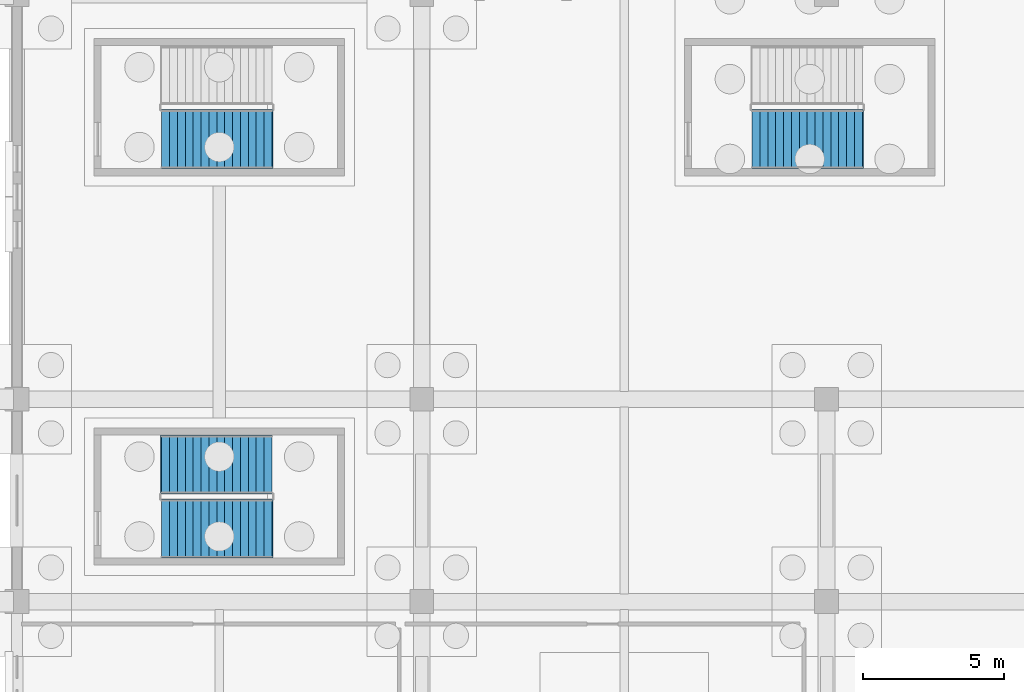
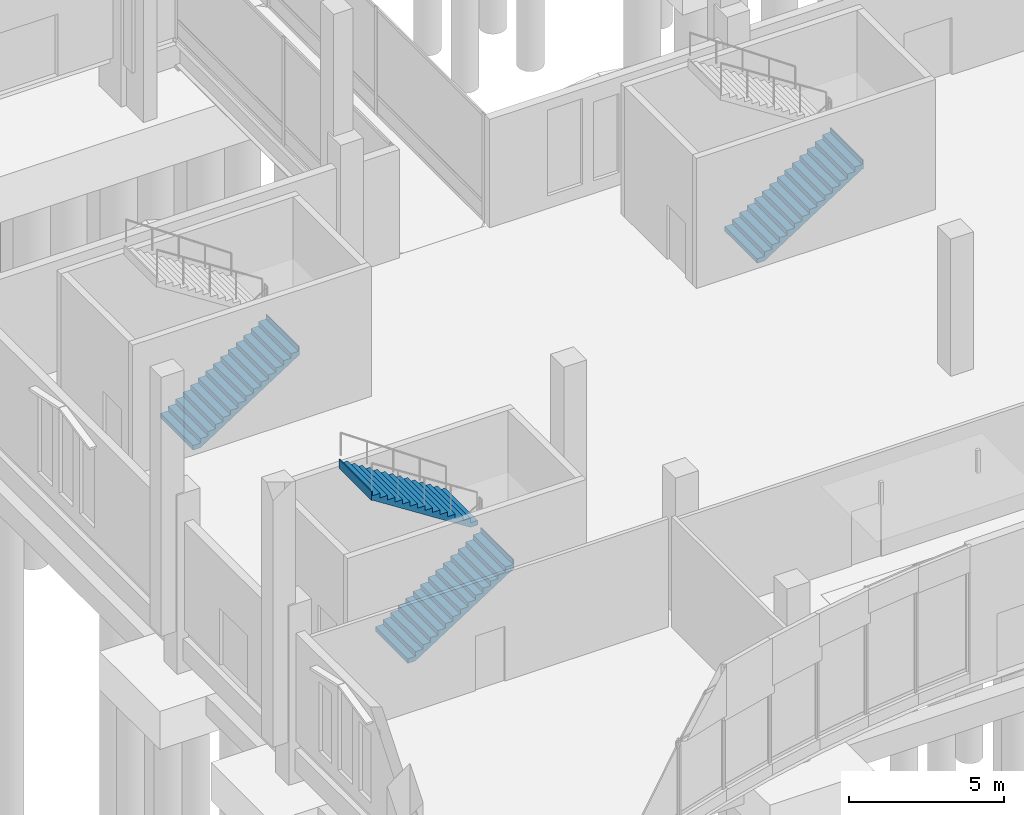
# One storey, part 158 of 192: 4 stair flights, 3 elements without a shape of their own.
"""IFC4 building model written with IfcOpenShell, lengths in metres."""

from ifc_helpers import new_model, si_unit, direction, frame, origin, place, context, subcontext, project, spatial, triangles, material, type_object, element, aggregate, save


model = new_model("IFC4")

# Units and contexts
model_context = context("Model", 3, precision=1e-05, world=origin(), true_north=direction((0.0, 1.0)))
body_context = subcontext(model_context, "Body", "Model", "MODEL_VIEW")
ifc_project = project(units=[si_unit("LENGTHUNIT", "METRE"), si_unit("AREAUNIT", "SQUARE_METRE"), si_unit("VOLUMEUNIT", "CUBIC_METRE"), si_unit("PLANEANGLEUNIT", "RADIAN"), si_unit("MASSUNIT", "GRAM", prefix="KILO")], contexts=[model_context])

# Site, building, storey
site_placement = place(None, origin())
site = spatial("IfcSite", under=ifc_project, at=site_placement, CompositionType="ELEMENT")
building_placement = place(site_placement, origin())
building = spatial("IfcBuilding", under=site, at=building_placement, Name="Cendralis Lancet Convention Centre", CompositionType="ELEMENT")
storey_placement = place(building_placement, origin())
storey = spatial("IfcBuildingStorey", under=building, at=storey_placement, Name="L00", CompositionType="ELEMENT", Elevation=0.0)

# Stair, stair flight
ifc_material = material(Name="Concrete G35 (C35/45)", Category="concrete")
stair_type = type_object("IfcStairType", Name="ARC-ST-CORE", PredefinedType="HALF_TURN_STAIR", material=ifc_material)
stair_1_placement = place(storey_placement, origin())
stair_1 = element("IfcStair", 1, at=stair_1_placement, inside=storey, type_object=stair_type, Name="L00 Protected Exit Stair ST-11", PredefinedType="HALF_TURN_STAIR")
stair_flight_type = type_object("IfcStairFlightType", Name="ARC-SF-CORE", PredefinedType="STRAIGHT", material=ifc_material)
stair_flight_1_placement = place(storey_placement, frame((26.14990234375, 30.85009765625, 0.0), z_axis=(0.0, 0.0, 1.0), x_axis=(1.0, 0.0, 0.0)))
stair_flight_1 = element("IfcStairFlight", 2, at=stair_flight_1_placement, type_object=stair_flight_type, Name="ST-11 flight 1", NumberOfRisers=15, NumberOfTreads=14, PredefinedType="STRAIGHT", RiserHeight=0.18, TreadLength=0.28, context=body_context, shape_type="Tessellation", body=[
    triangles([(0.0, 0.0, 0.09), (0.0, 1.050049, 0.0), (0.0, -1.050049, 0.0), (0.0, -1.050049, 0.18), (0.0, 1.050049, 0.18), (0.138604, 0.0, 0.18), (0.277208, -1.050049, 0.18), (0.277208, 1.050049, 0.18), (0.138604, 0.0, 0.0), (0.277208, -1.050049, 0.0), (0.277208, 1.050049, 0.0), (0.278604, 0.0, 0.18), (0.28, -1.050049, 0.18), (0.28, 1.050049, 0.18), (0.278604, 0.0, 0.000897), (0.28, -1.050049, 0.001795), (0.28, 1.050049, 0.001795), (0.28, 0.0, 0.27), (0.28, -1.050049, 0.36), (0.28, 1.050049, 0.36), (0.42, 0.0, 0.36), (0.56, -1.050049, 0.36), (0.56, 1.050049, 0.36), (0.42, 0.0, 0.091795), (0.56, -1.050049, 0.181795), (0.56, 1.050049, 0.181795), (0.56, 0.0, 0.45), (0.56, -1.050049, 0.54), (0.56, 1.050049, 0.54), (0.7, 0.0, 0.54), (0.84, -1.050049, 0.54), (0.84, 1.050049, 0.54), (0.7, 0.0, 0.271795), (0.84, -1.050049, 0.361795), (0.84, 1.050049, 0.361795), (0.84, 0.0, 0.63), (0.84, -1.050049, 0.72), (0.84, 1.050049, 0.72), (0.98, 0.0, 0.72), (1.12, -1.050049, 0.72), (1.12, 1.050049, 0.72), (0.98, 0.0, 0.451795), (1.12, -1.050049, 0.541795), (1.12, 1.050049, 0.541795), (1.12, 0.0, 0.81), (1.12, -1.050049, 0.9), (1.12, 1.050049, 0.9), (1.26, 0.0, 0.9), (1.4, -1.050049, 0.9), (1.4, 1.050049, 0.9), (1.26, 0.0, 0.631795), (1.4, -1.050049, 0.721795), (1.4, 1.050049, 0.721795), (1.4, 0.0, 0.99), (1.4, -1.050049, 1.08), (1.4, 1.050049, 1.08), (1.54, 0.0, 1.08), (1.68, -1.050049, 1.08), (1.68, 1.050049, 1.08), (1.54, 0.0, 0.811795), (1.68, -1.050049, 0.901795), (1.68, 1.050049, 0.901795), (1.68, 0.0, 1.17), (1.68, -1.050049, 1.26), (1.68, 1.050049, 1.26), (1.82, 0.0, 1.26), (1.96, -1.050049, 1.26), (1.96, 1.050049, 1.26), (1.82, 0.0, 0.991795), (1.96, -1.050049, 1.081795), (1.96, 1.050049, 1.081795), (1.96, 0.0, 1.35), (1.96, -1.050049, 1.44), (1.96, 1.050049, 1.44), (2.1, 0.0, 1.44), (2.24, -1.050049, 1.44), (2.24, 1.050049, 1.44), (2.1, 0.0, 1.171795), (2.24, -1.050049, 1.261795), (2.24, 1.050049, 1.261795), (2.24, 0.0, 1.53), (2.24, -1.050049, 1.62), (2.24, 1.050049, 1.62), (2.38, 0.0, 1.62), (2.52, -1.050049, 1.62), (2.52, 1.050049, 1.62), (2.38, 0.0, 1.351795), (2.52, -1.050049, 1.441795), (2.52, 1.050049, 1.441795), (2.52, 0.0, 1.71), (2.52, -1.050049, 1.8), (2.52, 1.050049, 1.8), (2.66, 0.0, 1.8), (2.8, -1.050049, 1.8), (2.8, 1.050049, 1.8), (2.66, 0.0, 1.531795), (2.8, -1.050049, 1.621795), (2.8, 1.050049, 1.621795), (2.8, 0.0, 1.89), (2.8, -1.050049, 1.98), (2.8, 1.050049, 1.98), (2.94, 0.0, 1.98), (3.08, -1.050049, 1.98), (3.08, 1.050049, 1.98), (2.94, 0.0, 1.711795), (3.08, -1.050049, 1.801795), (3.08, 1.050049, 1.801795), (3.08, 0.0, 2.07), (3.08, -1.050049, 2.16), (3.08, 1.050049, 2.16), (3.22, 0.0, 2.16), (3.36, -1.050049, 2.16), (3.36, 1.050049, 2.16), (3.22, 0.0, 1.891795), (3.36, -1.050049, 1.981795), (3.36, 1.050049, 1.981795), (3.36, 0.0, 2.25), (3.36, -1.050049, 2.34), (3.36, 1.050049, 2.34), (3.5, 0.0, 2.34), (3.64, -1.050049, 2.34), (3.64, 1.050049, 2.34), (3.5, 0.0, 2.071795), (3.64, -1.050049, 2.161795), (3.64, 1.050049, 2.161795), (3.64, 0.0, 2.43), (3.64, -1.050049, 2.52), (3.64, 1.050049, 2.52), (3.78, 0.0, 2.52), (3.92, -1.050049, 2.52), (3.92, 1.050049, 2.52), (3.78, 0.0, 2.251795), (3.92, -1.050049, 2.341795), (3.92, 1.050049, 2.341795), (3.92, 0.0, 2.61), (3.92, -1.050049, 2.7), (3.92, 1.050049, 2.7), (3.94, 0.0, 2.7), (3.96, -1.050049, 2.7), (3.96, 1.050049, 2.7), (3.94, 0.0, 2.341795), (3.96, -1.050049, 2.341795), (3.96, 1.050049, 2.341795), (3.96, 0.0, 2.520898)], [[2, 3, 1], [3, 4, 1], [4, 5, 1], [5, 2, 1], [4, 7, 6], [7, 8, 6], [8, 5, 6], [5, 4, 6], [10, 3, 9], [3, 2, 9], [2, 11, 9], [11, 10, 9], [3, 10, 7], [3, 7, 4], [2, 8, 11], [2, 5, 8], [7, 13, 12], [13, 14, 12], [14, 8, 12], [8, 7, 12], [16, 10, 15], [10, 11, 15], [11, 17, 15], [17, 16, 15], [10, 16, 13], [10, 13, 7], [11, 14, 17], [11, 8, 14], [14, 13, 18], [13, 19, 18], [19, 20, 18], [20, 14, 18], [19, 22, 21], [22, 23, 21], [23, 20, 21], [20, 19, 21], [25, 16, 24], [16, 17, 24], [17, 26, 24], [26, 25, 24], [16, 25, 22], [16, 22, 13], [13, 22, 19], [17, 23, 26], [17, 14, 23], [14, 20, 23], [23, 22, 27], [22, 28, 27], [28, 29, 27], [29, 23, 27], [28, 31, 30], [31, 32, 30], [32, 29, 30], [29, 28, 30], [34, 25, 33], [25, 26, 33], [26, 35, 33], [35, 34, 33], [25, 34, 31], [25, 31, 22], [22, 31, 28], [26, 32, 35], [26, 23, 32], [23, 29, 32], [32, 31, 36], [31, 37, 36], [37, 38, 36], [38, 32, 36], [37, 40, 39], [40, 41, 39], [41, 38, 39], [38, 37, 39], [43, 34, 42], [34, 35, 42], [35, 44, 42], [44, 43, 42], [34, 43, 40], [34, 40, 31], [31, 40, 37], [35, 41, 44], [35, 32, 41], [32, 38, 41], [41, 40, 45], [40, 46, 45], [46, 47, 45], [47, 41, 45], [46, 49, 48], [49, 50, 48], [50, 47, 48], [47, 46, 48], [52, 43, 51], [43, 44, 51], [44, 53, 51], [53, 52, 51], [43, 52, 49], [43, 49, 40], [40, 49, 46], [44, 50, 53], [44, 41, 50], [41, 47, 50], [50, 49, 54], [49, 55, 54], [55, 56, 54], [56, 50, 54], [55, 58, 57], [58, 59, 57], [59, 56, 57], [56, 55, 57], [61, 52, 60], [52, 53, 60], [53, 62, 60], [62, 61, 60], [52, 61, 58], [52, 58, 49], [49, 58, 55], [53, 59, 62], [53, 50, 59], [50, 56, 59], [59, 58, 63], [58, 64, 63], [64, 65, 63], [65, 59, 63], [64, 67, 66], [67, 68, 66], [68, 65, 66], [65, 64, 66], [70, 61, 69], [61, 62, 69], [62, 71, 69], [71, 70, 69], [61, 70, 67], [61, 67, 58], [58, 67, 64], [62, 68, 71], [62, 59, 68], [59, 65, 68], [68, 67, 72], [67, 73, 72], [73, 74, 72], [74, 68, 72], [73, 76, 75], [76, 77, 75], [77, 74, 75], [74, 73, 75], [79, 70, 78], [70, 71, 78], [71, 80, 78], [80, 79, 78], [70, 79, 76], [70, 76, 67], [67, 76, 73], [71, 77, 80], [71, 68, 77], [68, 74, 77], [77, 76, 81], [76, 82, 81], [82, 83, 81], [83, 77, 81], [82, 85, 84], [85, 86, 84], [86, 83, 84], [83, 82, 84], [88, 79, 87], [79, 80, 87], [80, 89, 87], [89, 88, 87], [79, 88, 85], [79, 85, 76], [76, 85, 82], [80, 86, 89], [80, 77, 86], [77, 83, 86], [86, 85, 90], [85, 91, 90], [91, 92, 90], [92, 86, 90], [91, 94, 93], [94, 95, 93], [95, 92, 93], [92, 91, 93], [97, 88, 96], [88, 89, 96], [89, 98, 96], [98, 97, 96], [88, 97, 94], [88, 94, 85], [85, 94, 91], [89, 95, 98], [89, 86, 95], [86, 92, 95], [95, 94, 99], [94, 100, 99], [100, 101, 99], [101, 95, 99], [100, 103, 102], [103, 104, 102], [104, 101, 102], [101, 100, 102], [106, 97, 105], [97, 98, 105], [98, 107, 105], [107, 106, 105], [97, 106, 103], [97, 103, 94], [94, 103, 100], [98, 104, 107], [98, 95, 104], [95, 101, 104], [104, 103, 108], [103, 109, 108], [109, 110, 108], [110, 104, 108], [109, 112, 111], [112, 113, 111], [113, 110, 111], [110, 109, 111], [115, 106, 114], [106, 107, 114], [107, 116, 114], [116, 115, 114], [106, 115, 112], [106, 112, 103], [103, 112, 109], [107, 113, 116], [107, 104, 113], [104, 110, 113], [113, 112, 117], [112, 118, 117], [118, 119, 117], [119, 113, 117], [118, 121, 120], [121, 122, 120], [122, 119, 120], [119, 118, 120], [124, 115, 123], [115, 116, 123], [116, 125, 123], [125, 124, 123], [115, 124, 121], [115, 121, 112], [112, 121, 118], [116, 122, 125], [116, 113, 122], [113, 119, 122], [122, 121, 126], [121, 127, 126], [127, 128, 126], [128, 122, 126], [127, 130, 129], [130, 131, 129], [131, 128, 129], [128, 127, 129], [133, 124, 132], [124, 125, 132], [125, 134, 132], [134, 133, 132], [124, 133, 130], [124, 130, 121], [121, 130, 127], [125, 131, 134], [125, 122, 131], [122, 128, 131], [131, 130, 135], [130, 136, 135], [136, 137, 135], [137, 131, 135], [136, 139, 138], [139, 140, 138], [140, 137, 138], [137, 136, 138], [142, 133, 141], [133, 134, 141], [134, 143, 141], [143, 142, 141], [133, 142, 139], [133, 139, 130], [130, 139, 136], [134, 140, 143], [134, 131, 140], [131, 137, 140], [142, 143, 144], [143, 140, 144], [140, 139, 144], [139, 142, 144]], closed=True),
])
aggregate(stair_1, [stair_flight_1])

# Stair, stair flights
stair_2_placement = place(storey_placement, origin())
stair_2 = element("IfcStair", 3, at=stair_2_placement, inside=storey, type_object=stair_type, Name="L00 Protected Exit Stair ST-17", PredefinedType="HALF_TURN_STAIR")
stair_flight_2_placement = place(storey_placement, frame((5.14990234375, 17.0, 0.0), z_axis=(0.0, 0.0, 1.0), x_axis=(1.0, 0.0, 0.0)))
stair_flight_2 = element("IfcStairFlight", 4, at=stair_flight_2_placement, type_object=stair_flight_type, Name="ST-17 flight 1", NumberOfRisers=15, NumberOfTreads=14, PredefinedType="STRAIGHT", RiserHeight=0.18, TreadLength=0.28, context=body_context, shape_type="Tessellation", body=[
    triangles([(0.0, 0.0, 0.09), (0.0, 1.050049, 0.0), (0.0, -1.050049, 0.0), (0.0, -1.050049, 0.18), (0.0, 1.050049, 0.18), (0.138604, 0.0, 0.18), (0.277208, -1.050049, 0.18), (0.277208, 1.050049, 0.18), (0.138604, 0.0, 0.0), (0.277208, -1.050049, 0.0), (0.277208, 1.050049, 0.0), (0.278604, 0.0, 0.18), (0.28, -1.050049, 0.18), (0.28, 1.050049, 0.18), (0.278604, 0.0, 0.000897), (0.28, -1.050049, 0.001795), (0.28, 1.050049, 0.001795), (0.28, 0.0, 0.27), (0.28, -1.050049, 0.36), (0.28, 1.050049, 0.36), (0.42, 0.0, 0.36), (0.56, -1.050049, 0.36), (0.56, 1.050049, 0.36), (0.42, 0.0, 0.091795), (0.56, -1.050049, 0.181795), (0.56, 1.050049, 0.181795), (0.56, 0.0, 0.45), (0.56, -1.050049, 0.54), (0.56, 1.050049, 0.54), (0.7, 0.0, 0.54), (0.84, -1.050049, 0.54), (0.84, 1.050049, 0.54), (0.7, 0.0, 0.271795), (0.84, -1.050049, 0.361795), (0.84, 1.050049, 0.361795), (0.84, 0.0, 0.63), (0.84, -1.050049, 0.72), (0.84, 1.050049, 0.72), (0.98, 0.0, 0.72), (1.12, -1.050049, 0.72), (1.12, 1.050049, 0.72), (0.98, 0.0, 0.451795), (1.12, -1.050049, 0.541795), (1.12, 1.050049, 0.541795), (1.12, 0.0, 0.81), (1.12, -1.050049, 0.9), (1.12, 1.050049, 0.9), (1.26, 0.0, 0.9), (1.4, -1.050049, 0.9), (1.4, 1.050049, 0.9), (1.26, 0.0, 0.631795), (1.4, -1.050049, 0.721795), (1.4, 1.050049, 0.721795), (1.4, 0.0, 0.99), (1.4, -1.050049, 1.08), (1.4, 1.050049, 1.08), (1.54, 0.0, 1.08), (1.68, -1.050049, 1.08), (1.68, 1.050049, 1.08), (1.54, 0.0, 0.811795), (1.68, -1.050049, 0.901795), (1.68, 1.050049, 0.901795), (1.68, 0.0, 1.17), (1.68, -1.050049, 1.26), (1.68, 1.050049, 1.26), (1.82, 0.0, 1.26), (1.96, -1.050049, 1.26), (1.96, 1.050049, 1.26), (1.82, 0.0, 0.991795), (1.96, -1.050049, 1.081795), (1.96, 1.050049, 1.081795), (1.96, 0.0, 1.35), (1.96, -1.050049, 1.44), (1.96, 1.050049, 1.44), (2.1, 0.0, 1.44), (2.24, -1.050049, 1.44), (2.24, 1.050049, 1.44), (2.1, 0.0, 1.171795), (2.24, -1.050049, 1.261795), (2.24, 1.050049, 1.261795), (2.24, 0.0, 1.53), (2.24, -1.050049, 1.62), (2.24, 1.050049, 1.62), (2.38, 0.0, 1.62), (2.52, -1.050049, 1.62), (2.52, 1.050049, 1.62), (2.38, 0.0, 1.351795), (2.52, -1.050049, 1.441795), (2.52, 1.050049, 1.441795), (2.52, 0.0, 1.71), (2.52, -1.050049, 1.8), (2.52, 1.050049, 1.8), (2.66, 0.0, 1.8), (2.8, -1.050049, 1.8), (2.8, 1.050049, 1.8), (2.66, 0.0, 1.531795), (2.8, -1.050049, 1.621795), (2.8, 1.050049, 1.621795), (2.8, 0.0, 1.89), (2.8, -1.050049, 1.98), (2.8, 1.050049, 1.98), (2.94, 0.0, 1.98), (3.08, -1.050049, 1.98), (3.08, 1.050049, 1.98), (2.94, 0.0, 1.711795), (3.08, -1.050049, 1.801795), (3.08, 1.050049, 1.801795), (3.08, 0.0, 2.07), (3.08, -1.050049, 2.16), (3.08, 1.050049, 2.16), (3.22, 0.0, 2.16), (3.36, -1.050049, 2.16), (3.36, 1.050049, 2.16), (3.22, 0.0, 1.891795), (3.36, -1.050049, 1.981795), (3.36, 1.050049, 1.981795), (3.36, 0.0, 2.25), (3.36, -1.050049, 2.34), (3.36, 1.050049, 2.34), (3.5, 0.0, 2.34), (3.64, -1.050049, 2.34), (3.64, 1.050049, 2.34), (3.5, 0.0, 2.071795), (3.64, -1.050049, 2.161795), (3.64, 1.050049, 2.161795), (3.64, 0.0, 2.43), (3.64, -1.050049, 2.52), (3.64, 1.050049, 2.52), (3.78, 0.0, 2.52), (3.92, -1.050049, 2.52), (3.92, 1.050049, 2.52), (3.78, 0.0, 2.251795), (3.92, -1.050049, 2.341795), (3.92, 1.050049, 2.341795), (3.92, 0.0, 2.61), (3.92, -1.050049, 2.7), (3.92, 1.050049, 2.7), (3.94, 0.0, 2.7), (3.96, -1.050049, 2.7), (3.96, 1.050049, 2.7), (3.94, 0.0, 2.341795), (3.96, -1.050049, 2.341795), (3.96, 1.050049, 2.341795), (3.96, 0.0, 2.520898)], [[2, 3, 1], [3, 4, 1], [4, 5, 1], [5, 2, 1], [4, 7, 6], [7, 8, 6], [8, 5, 6], [5, 4, 6], [10, 3, 9], [3, 2, 9], [2, 11, 9], [11, 10, 9], [3, 10, 7], [3, 7, 4], [2, 8, 11], [2, 5, 8], [7, 13, 12], [13, 14, 12], [14, 8, 12], [8, 7, 12], [16, 10, 15], [10, 11, 15], [11, 17, 15], [17, 16, 15], [10, 16, 13], [10, 13, 7], [11, 14, 17], [11, 8, 14], [14, 13, 18], [13, 19, 18], [19, 20, 18], [20, 14, 18], [19, 22, 21], [22, 23, 21], [23, 20, 21], [20, 19, 21], [25, 16, 24], [16, 17, 24], [17, 26, 24], [26, 25, 24], [16, 25, 22], [16, 22, 13], [13, 22, 19], [17, 23, 26], [17, 14, 23], [14, 20, 23], [23, 22, 27], [22, 28, 27], [28, 29, 27], [29, 23, 27], [28, 31, 30], [31, 32, 30], [32, 29, 30], [29, 28, 30], [34, 25, 33], [25, 26, 33], [26, 35, 33], [35, 34, 33], [25, 34, 31], [25, 31, 22], [22, 31, 28], [26, 32, 35], [26, 23, 32], [23, 29, 32], [32, 31, 36], [31, 37, 36], [37, 38, 36], [38, 32, 36], [37, 40, 39], [40, 41, 39], [41, 38, 39], [38, 37, 39], [43, 34, 42], [34, 35, 42], [35, 44, 42], [44, 43, 42], [34, 43, 40], [34, 40, 31], [31, 40, 37], [35, 41, 44], [35, 32, 41], [32, 38, 41], [41, 40, 45], [40, 46, 45], [46, 47, 45], [47, 41, 45], [46, 49, 48], [49, 50, 48], [50, 47, 48], [47, 46, 48], [52, 43, 51], [43, 44, 51], [44, 53, 51], [53, 52, 51], [43, 52, 49], [43, 49, 40], [40, 49, 46], [44, 50, 53], [44, 41, 50], [41, 47, 50], [50, 49, 54], [49, 55, 54], [55, 56, 54], [56, 50, 54], [55, 58, 57], [58, 59, 57], [59, 56, 57], [56, 55, 57], [61, 52, 60], [52, 53, 60], [53, 62, 60], [62, 61, 60], [52, 61, 58], [52, 58, 49], [49, 58, 55], [53, 59, 62], [53, 50, 59], [50, 56, 59], [59, 58, 63], [58, 64, 63], [64, 65, 63], [65, 59, 63], [64, 67, 66], [67, 68, 66], [68, 65, 66], [65, 64, 66], [70, 61, 69], [61, 62, 69], [62, 71, 69], [71, 70, 69], [61, 70, 67], [61, 67, 58], [58, 67, 64], [62, 68, 71], [62, 59, 68], [59, 65, 68], [68, 67, 72], [67, 73, 72], [73, 74, 72], [74, 68, 72], [73, 76, 75], [76, 77, 75], [77, 74, 75], [74, 73, 75], [79, 70, 78], [70, 71, 78], [71, 80, 78], [80, 79, 78], [70, 79, 76], [70, 76, 67], [67, 76, 73], [71, 77, 80], [71, 68, 77], [68, 74, 77], [77, 76, 81], [76, 82, 81], [82, 83, 81], [83, 77, 81], [82, 85, 84], [85, 86, 84], [86, 83, 84], [83, 82, 84], [88, 79, 87], [79, 80, 87], [80, 89, 87], [89, 88, 87], [79, 88, 85], [79, 85, 76], [76, 85, 82], [80, 86, 89], [80, 77, 86], [77, 83, 86], [86, 85, 90], [85, 91, 90], [91, 92, 90], [92, 86, 90], [91, 94, 93], [94, 95, 93], [95, 92, 93], [92, 91, 93], [97, 88, 96], [88, 89, 96], [89, 98, 96], [98, 97, 96], [88, 97, 94], [88, 94, 85], [85, 94, 91], [89, 95, 98], [89, 86, 95], [86, 92, 95], [95, 94, 99], [94, 100, 99], [100, 101, 99], [101, 95, 99], [100, 103, 102], [103, 104, 102], [104, 101, 102], [101, 100, 102], [106, 97, 105], [97, 98, 105], [98, 107, 105], [107, 106, 105], [97, 106, 103], [97, 103, 94], [94, 103, 100], [98, 104, 107], [98, 95, 104], [95, 101, 104], [104, 103, 108], [103, 109, 108], [109, 110, 108], [110, 104, 108], [109, 112, 111], [112, 113, 111], [113, 110, 111], [110, 109, 111], [115, 106, 114], [106, 107, 114], [107, 116, 114], [116, 115, 114], [106, 115, 112], [106, 112, 103], [103, 112, 109], [107, 113, 116], [107, 104, 113], [104, 110, 113], [113, 112, 117], [112, 118, 117], [118, 119, 117], [119, 113, 117], [118, 121, 120], [121, 122, 120], [122, 119, 120], [119, 118, 120], [124, 115, 123], [115, 116, 123], [116, 125, 123], [125, 124, 123], [115, 124, 121], [115, 121, 112], [112, 121, 118], [116, 122, 125], [116, 113, 122], [113, 119, 122], [122, 121, 126], [121, 127, 126], [127, 128, 126], [128, 122, 126], [127, 130, 129], [130, 131, 129], [131, 128, 129], [128, 127, 129], [133, 124, 132], [124, 125, 132], [125, 134, 132], [134, 133, 132], [124, 133, 130], [124, 130, 121], [121, 130, 127], [125, 131, 134], [125, 122, 131], [122, 128, 131], [131, 130, 135], [130, 136, 135], [136, 137, 135], [137, 131, 135], [136, 139, 138], [139, 140, 138], [140, 137, 138], [137, 136, 138], [142, 133, 141], [133, 134, 141], [134, 143, 141], [143, 142, 141], [133, 142, 139], [133, 139, 130], [130, 139, 136], [134, 140, 143], [134, 131, 140], [131, 137, 140], [142, 143, 144], [143, 140, 144], [140, 139, 144], [139, 142, 144]], closed=True),
])
stair_flight_3_placement = place(storey_placement, frame((9.070068359375, 19.280029296875, 2.699951171875), z_axis=(0.0, 0.0, 1.0), x_axis=(-1.0, 0.0, 0.0)))
stair_flight_3 = element("IfcStairFlight", 5, at=stair_flight_3_placement, type_object=stair_flight_type, Name="ST-17 flight 2", NumberOfRisers=15, NumberOfTreads=14, PredefinedType="STRAIGHT", RiserHeight=0.18, TreadLength=0.28, context=body_context, shape_type="Tessellation", body=[
    triangles([(0.0, 0.0, 0.09), (0.0, 1.050049, 0.0), (0.0, -1.050049, 0.0), (0.0, -1.050049, 0.18), (0.0, 1.050049, 0.18), (0.138604, 0.0, 0.18), (0.277208, -1.050049, 0.18), (0.277208, 1.050049, 0.18), (0.138604, 0.0, 0.0), (0.277208, -1.050049, 0.0), (0.277208, 1.050049, 0.0), (0.278604, 0.0, 0.18), (0.28, -1.050049, 0.18), (0.28, 1.050049, 0.18), (0.278604, 0.0, 0.000897), (0.28, -1.050049, 0.001795), (0.28, 1.050049, 0.001795), (0.28, 0.0, 0.27), (0.28, -1.050049, 0.36), (0.28, 1.050049, 0.36), (0.42, 0.0, 0.36), (0.56, -1.050049, 0.36), (0.56, 1.050049, 0.36), (0.42, 0.0, 0.091795), (0.56, -1.050049, 0.181795), (0.56, 1.050049, 0.181795), (0.56, 0.0, 0.45), (0.56, -1.050049, 0.54), (0.56, 1.050049, 0.54), (0.7, 0.0, 0.54), (0.84, -1.050049, 0.54), (0.84, 1.050049, 0.54), (0.7, 0.0, 0.271795), (0.84, -1.050049, 0.361795), (0.84, 1.050049, 0.361795), (0.84, 0.0, 0.63), (0.84, -1.050049, 0.72), (0.84, 1.050049, 0.72), (0.98, 0.0, 0.72), (1.12, -1.050049, 0.72), (1.12, 1.050049, 0.72), (0.98, 0.0, 0.451795), (1.12, -1.050049, 0.541795), (1.12, 1.050049, 0.541795), (1.12, 0.0, 0.81), (1.12, -1.050049, 0.9), (1.12, 1.050049, 0.9), (1.26, 0.0, 0.9), (1.4, -1.050049, 0.9), (1.4, 1.050049, 0.9), (1.26, 0.0, 0.631795), (1.4, -1.050049, 0.721795), (1.4, 1.050049, 0.721795), (1.4, 0.0, 0.99), (1.4, -1.050049, 1.08), (1.4, 1.050049, 1.08), (1.54, 0.0, 1.08), (1.68, -1.050049, 1.08), (1.68, 1.050049, 1.08), (1.54, 0.0, 0.811795), (1.68, -1.050049, 0.901795), (1.68, 1.050049, 0.901795), (1.68, 0.0, 1.17), (1.68, -1.050049, 1.26), (1.68, 1.050049, 1.26), (1.82, 0.0, 1.26), (1.96, -1.050049, 1.26), (1.96, 1.050049, 1.26), (1.82, 0.0, 0.991795), (1.96, -1.050049, 1.081795), (1.96, 1.050049, 1.081795), (1.96, 0.0, 1.35), (1.96, -1.050049, 1.44), (1.96, 1.050049, 1.44), (2.1, 0.0, 1.44), (2.24, -1.050049, 1.44), (2.24, 1.050049, 1.44), (2.1, 0.0, 1.171795), (2.24, -1.050049, 1.261795), (2.24, 1.050049, 1.261795), (2.24, 0.0, 1.53), (2.24, -1.050049, 1.62), (2.24, 1.050049, 1.62), (2.38, 0.0, 1.62), (2.52, -1.050049, 1.62), (2.52, 1.050049, 1.62), (2.38, 0.0, 1.351795), (2.52, -1.050049, 1.441795), (2.52, 1.050049, 1.441795), (2.52, 0.0, 1.71), (2.52, -1.050049, 1.8), (2.52, 1.050049, 1.8), (2.66, 0.0, 1.8), (2.8, -1.050049, 1.8), (2.8, 1.050049, 1.8), (2.66, 0.0, 1.531795), (2.8, -1.050049, 1.621795), (2.8, 1.050049, 1.621795), (2.8, 0.0, 1.89), (2.8, -1.050049, 1.98), (2.8, 1.050049, 1.98), (2.94, 0.0, 1.98), (3.08, -1.050049, 1.98), (3.08, 1.050049, 1.98), (2.94, 0.0, 1.711795), (3.08, -1.050049, 1.801795), (3.08, 1.050049, 1.801795), (3.08, 0.0, 2.07), (3.08, -1.050049, 2.16), (3.08, 1.050049, 2.16), (3.22, 0.0, 2.16), (3.36, -1.050049, 2.16), (3.36, 1.050049, 2.16), (3.22, 0.0, 1.891795), (3.36, -1.050049, 1.981795), (3.36, 1.050049, 1.981795), (3.36, 0.0, 2.25), (3.36, -1.050049, 2.34), (3.36, 1.050049, 2.34), (3.5, 0.0, 2.34), (3.64, -1.050049, 2.34), (3.64, 1.050049, 2.34), (3.5, 0.0, 2.071795), (3.64, -1.050049, 2.161795), (3.64, 1.050049, 2.161795), (3.64, 0.0, 2.43), (3.64, -1.050049, 2.52), (3.64, 1.050049, 2.52), (3.78, 0.0, 2.52), (3.92, -1.050049, 2.52), (3.92, 1.050049, 2.52), (3.78, 0.0, 2.251795), (3.92, -1.050049, 2.341795), (3.92, 1.050049, 2.341795), (3.92, 0.0, 2.61), (3.92, -1.050049, 2.7), (3.92, 1.050049, 2.7), (3.94, 0.0, 2.7), (3.96, -1.050049, 2.7), (3.96, 1.050049, 2.7), (3.94, 0.0, 2.341795), (3.96, -1.050049, 2.341795), (3.96, 1.050049, 2.341795), (3.96, 0.0, 2.520898)], [[2, 3, 1], [3, 4, 1], [4, 5, 1], [5, 2, 1], [4, 7, 6], [7, 8, 6], [8, 5, 6], [5, 4, 6], [10, 3, 9], [3, 2, 9], [2, 11, 9], [11, 10, 9], [3, 10, 7], [3, 7, 4], [2, 8, 11], [2, 5, 8], [7, 13, 12], [13, 14, 12], [14, 8, 12], [8, 7, 12], [16, 10, 15], [10, 11, 15], [11, 17, 15], [17, 16, 15], [10, 16, 13], [10, 13, 7], [11, 14, 17], [11, 8, 14], [14, 13, 18], [13, 19, 18], [19, 20, 18], [20, 14, 18], [19, 22, 21], [22, 23, 21], [23, 20, 21], [20, 19, 21], [25, 16, 24], [16, 17, 24], [17, 26, 24], [26, 25, 24], [16, 25, 22], [16, 22, 13], [13, 22, 19], [17, 23, 26], [17, 14, 23], [14, 20, 23], [23, 22, 27], [22, 28, 27], [28, 29, 27], [29, 23, 27], [28, 31, 30], [31, 32, 30], [32, 29, 30], [29, 28, 30], [34, 25, 33], [25, 26, 33], [26, 35, 33], [35, 34, 33], [25, 34, 31], [25, 31, 22], [22, 31, 28], [26, 32, 35], [26, 23, 32], [23, 29, 32], [32, 31, 36], [31, 37, 36], [37, 38, 36], [38, 32, 36], [37, 40, 39], [40, 41, 39], [41, 38, 39], [38, 37, 39], [43, 34, 42], [34, 35, 42], [35, 44, 42], [44, 43, 42], [34, 43, 40], [34, 40, 31], [31, 40, 37], [35, 41, 44], [35, 32, 41], [32, 38, 41], [41, 40, 45], [40, 46, 45], [46, 47, 45], [47, 41, 45], [46, 49, 48], [49, 50, 48], [50, 47, 48], [47, 46, 48], [52, 43, 51], [43, 44, 51], [44, 53, 51], [53, 52, 51], [43, 52, 49], [43, 49, 40], [40, 49, 46], [44, 50, 53], [44, 41, 50], [41, 47, 50], [50, 49, 54], [49, 55, 54], [55, 56, 54], [56, 50, 54], [55, 58, 57], [58, 59, 57], [59, 56, 57], [56, 55, 57], [61, 52, 60], [52, 53, 60], [53, 62, 60], [62, 61, 60], [52, 61, 58], [52, 58, 49], [49, 58, 55], [53, 59, 62], [53, 50, 59], [50, 56, 59], [59, 58, 63], [58, 64, 63], [64, 65, 63], [65, 59, 63], [64, 67, 66], [67, 68, 66], [68, 65, 66], [65, 64, 66], [70, 61, 69], [61, 62, 69], [62, 71, 69], [71, 70, 69], [61, 70, 67], [61, 67, 58], [58, 67, 64], [62, 68, 71], [62, 59, 68], [59, 65, 68], [68, 67, 72], [67, 73, 72], [73, 74, 72], [74, 68, 72], [73, 76, 75], [76, 77, 75], [77, 74, 75], [74, 73, 75], [79, 70, 78], [70, 71, 78], [71, 80, 78], [80, 79, 78], [70, 79, 76], [70, 76, 67], [67, 76, 73], [71, 77, 80], [71, 68, 77], [68, 74, 77], [77, 76, 81], [76, 82, 81], [82, 83, 81], [83, 77, 81], [82, 85, 84], [85, 86, 84], [86, 83, 84], [83, 82, 84], [88, 79, 87], [79, 80, 87], [80, 89, 87], [89, 88, 87], [79, 88, 85], [79, 85, 76], [76, 85, 82], [80, 86, 89], [80, 77, 86], [77, 83, 86], [86, 85, 90], [85, 91, 90], [91, 92, 90], [92, 86, 90], [91, 94, 93], [94, 95, 93], [95, 92, 93], [92, 91, 93], [97, 88, 96], [88, 89, 96], [89, 98, 96], [98, 97, 96], [88, 97, 94], [88, 94, 85], [85, 94, 91], [89, 95, 98], [89, 86, 95], [86, 92, 95], [95, 94, 99], [94, 100, 99], [100, 101, 99], [101, 95, 99], [100, 103, 102], [103, 104, 102], [104, 101, 102], [101, 100, 102], [106, 97, 105], [97, 98, 105], [98, 107, 105], [107, 106, 105], [97, 106, 103], [97, 103, 94], [94, 103, 100], [98, 104, 107], [98, 95, 104], [95, 101, 104], [104, 103, 108], [103, 109, 108], [109, 110, 108], [110, 104, 108], [109, 112, 111], [112, 113, 111], [113, 110, 111], [110, 109, 111], [115, 106, 114], [106, 107, 114], [107, 116, 114], [116, 115, 114], [106, 115, 112], [106, 112, 103], [103, 112, 109], [107, 113, 116], [107, 104, 113], [104, 110, 113], [113, 112, 117], [112, 118, 117], [118, 119, 117], [119, 113, 117], [118, 121, 120], [121, 122, 120], [122, 119, 120], [119, 118, 120], [124, 115, 123], [115, 116, 123], [116, 125, 123], [125, 124, 123], [115, 124, 121], [115, 121, 112], [112, 121, 118], [116, 122, 125], [116, 113, 122], [113, 119, 122], [122, 121, 126], [121, 127, 126], [127, 128, 126], [128, 122, 126], [127, 130, 129], [130, 131, 129], [131, 128, 129], [128, 127, 129], [133, 124, 132], [124, 125, 132], [125, 134, 132], [134, 133, 132], [124, 133, 130], [124, 130, 121], [121, 130, 127], [125, 131, 134], [125, 122, 131], [122, 128, 131], [131, 130, 135], [130, 136, 135], [136, 137, 135], [137, 131, 135], [136, 139, 138], [139, 140, 138], [140, 137, 138], [137, 136, 138], [142, 133, 141], [133, 134, 141], [134, 143, 141], [143, 142, 141], [133, 142, 139], [133, 139, 130], [130, 139, 136], [134, 140, 143], [134, 131, 140], [131, 137, 140], [142, 143, 144], [143, 140, 144], [140, 139, 144], [139, 142, 144]], closed=True),
])
aggregate(stair_2, [stair_flight_2, stair_flight_3])

# Stair, stair flight
stair_3_placement = place(storey_placement, origin())
stair_3 = element("IfcStair", 6, at=stair_3_placement, inside=storey, type_object=stair_type, Name="L00 Protected Exit Stair ST-20", PredefinedType="HALF_TURN_STAIR")
stair_flight_4_placement = place(storey_placement, frame((5.14990234375, 30.85009765625, 0.0), z_axis=(0.0, 0.0, 1.0), x_axis=(1.0, 0.0, 0.0)))
stair_flight_4 = element("IfcStairFlight", 7, at=stair_flight_4_placement, type_object=stair_flight_type, Name="ST-20 flight 1", NumberOfRisers=15, NumberOfTreads=14, PredefinedType="STRAIGHT", RiserHeight=0.18, TreadLength=0.28, context=body_context, shape_type="Tessellation", body=[
    triangles([(0.0, 0.0, 0.09), (0.0, 1.050049, 0.0), (0.0, -1.050049, 0.0), (0.0, -1.050049, 0.18), (0.0, 1.050049, 0.18), (0.138604, 0.0, 0.18), (0.277208, -1.050049, 0.18), (0.277208, 1.050049, 0.18), (0.138604, 0.0, 0.0), (0.277208, -1.050049, 0.0), (0.277208, 1.050049, 0.0), (0.278604, 0.0, 0.18), (0.28, -1.050049, 0.18), (0.28, 1.050049, 0.18), (0.278604, 0.0, 0.000897), (0.28, -1.050049, 0.001795), (0.28, 1.050049, 0.001795), (0.28, 0.0, 0.27), (0.28, -1.050049, 0.36), (0.28, 1.050049, 0.36), (0.42, 0.0, 0.36), (0.56, -1.050049, 0.36), (0.56, 1.050049, 0.36), (0.42, 0.0, 0.091795), (0.56, -1.050049, 0.181795), (0.56, 1.050049, 0.181795), (0.56, 0.0, 0.45), (0.56, -1.050049, 0.54), (0.56, 1.050049, 0.54), (0.7, 0.0, 0.54), (0.84, -1.050049, 0.54), (0.84, 1.050049, 0.54), (0.7, 0.0, 0.271795), (0.84, -1.050049, 0.361795), (0.84, 1.050049, 0.361795), (0.84, 0.0, 0.63), (0.84, -1.050049, 0.72), (0.84, 1.050049, 0.72), (0.98, 0.0, 0.72), (1.12, -1.050049, 0.72), (1.12, 1.050049, 0.72), (0.98, 0.0, 0.451795), (1.12, -1.050049, 0.541795), (1.12, 1.050049, 0.541795), (1.12, 0.0, 0.81), (1.12, -1.050049, 0.9), (1.12, 1.050049, 0.9), (1.26, 0.0, 0.9), (1.4, -1.050049, 0.9), (1.4, 1.050049, 0.9), (1.26, 0.0, 0.631795), (1.4, -1.050049, 0.721795), (1.4, 1.050049, 0.721795), (1.4, 0.0, 0.99), (1.4, -1.050049, 1.08), (1.4, 1.050049, 1.08), (1.54, 0.0, 1.08), (1.68, -1.050049, 1.08), (1.68, 1.050049, 1.08), (1.54, 0.0, 0.811795), (1.68, -1.050049, 0.901795), (1.68, 1.050049, 0.901795), (1.68, 0.0, 1.17), (1.68, -1.050049, 1.26), (1.68, 1.050049, 1.26), (1.82, 0.0, 1.26), (1.96, -1.050049, 1.26), (1.96, 1.050049, 1.26), (1.82, 0.0, 0.991795), (1.96, -1.050049, 1.081795), (1.96, 1.050049, 1.081795), (1.96, 0.0, 1.35), (1.96, -1.050049, 1.44), (1.96, 1.050049, 1.44), (2.1, 0.0, 1.44), (2.24, -1.050049, 1.44), (2.24, 1.050049, 1.44), (2.1, 0.0, 1.171795), (2.24, -1.050049, 1.261795), (2.24, 1.050049, 1.261795), (2.24, 0.0, 1.53), (2.24, -1.050049, 1.62), (2.24, 1.050049, 1.62), (2.38, 0.0, 1.62), (2.52, -1.050049, 1.62), (2.52, 1.050049, 1.62), (2.38, 0.0, 1.351795), (2.52, -1.050049, 1.441795), (2.52, 1.050049, 1.441795), (2.52, 0.0, 1.71), (2.52, -1.050049, 1.8), (2.52, 1.050049, 1.8), (2.66, 0.0, 1.8), (2.8, -1.050049, 1.8), (2.8, 1.050049, 1.8), (2.66, 0.0, 1.531795), (2.8, -1.050049, 1.621795), (2.8, 1.050049, 1.621795), (2.8, 0.0, 1.89), (2.8, -1.050049, 1.98), (2.8, 1.050049, 1.98), (2.94, 0.0, 1.98), (3.08, -1.050049, 1.98), (3.08, 1.050049, 1.98), (2.94, 0.0, 1.711795), (3.08, -1.050049, 1.801795), (3.08, 1.050049, 1.801795), (3.08, 0.0, 2.07), (3.08, -1.050049, 2.16), (3.08, 1.050049, 2.16), (3.22, 0.0, 2.16), (3.36, -1.050049, 2.16), (3.36, 1.050049, 2.16), (3.22, 0.0, 1.891795), (3.36, -1.050049, 1.981795), (3.36, 1.050049, 1.981795), (3.36, 0.0, 2.25), (3.36, -1.050049, 2.34), (3.36, 1.050049, 2.34), (3.5, 0.0, 2.34), (3.64, -1.050049, 2.34), (3.64, 1.050049, 2.34), (3.5, 0.0, 2.071795), (3.64, -1.050049, 2.161795), (3.64, 1.050049, 2.161795), (3.64, 0.0, 2.43), (3.64, -1.050049, 2.52), (3.64, 1.050049, 2.52), (3.78, 0.0, 2.52), (3.92, -1.050049, 2.52), (3.92, 1.050049, 2.52), (3.78, 0.0, 2.251795), (3.92, -1.050049, 2.341795), (3.92, 1.050049, 2.341795), (3.92, 0.0, 2.61), (3.92, -1.050049, 2.7), (3.92, 1.050049, 2.7), (3.94, 0.0, 2.7), (3.96, -1.050049, 2.7), (3.96, 1.050049, 2.7), (3.94, 0.0, 2.341795), (3.96, -1.050049, 2.341795), (3.96, 1.050049, 2.341795), (3.96, 0.0, 2.520898)], [[2, 3, 1], [3, 4, 1], [4, 5, 1], [5, 2, 1], [4, 7, 6], [7, 8, 6], [8, 5, 6], [5, 4, 6], [10, 3, 9], [3, 2, 9], [2, 11, 9], [11, 10, 9], [3, 10, 7], [3, 7, 4], [2, 8, 11], [2, 5, 8], [7, 13, 12], [13, 14, 12], [14, 8, 12], [8, 7, 12], [16, 10, 15], [10, 11, 15], [11, 17, 15], [17, 16, 15], [10, 16, 13], [10, 13, 7], [11, 14, 17], [11, 8, 14], [14, 13, 18], [13, 19, 18], [19, 20, 18], [20, 14, 18], [19, 22, 21], [22, 23, 21], [23, 20, 21], [20, 19, 21], [25, 16, 24], [16, 17, 24], [17, 26, 24], [26, 25, 24], [16, 25, 22], [16, 22, 13], [13, 22, 19], [17, 23, 26], [17, 14, 23], [14, 20, 23], [23, 22, 27], [22, 28, 27], [28, 29, 27], [29, 23, 27], [28, 31, 30], [31, 32, 30], [32, 29, 30], [29, 28, 30], [34, 25, 33], [25, 26, 33], [26, 35, 33], [35, 34, 33], [25, 34, 31], [25, 31, 22], [22, 31, 28], [26, 32, 35], [26, 23, 32], [23, 29, 32], [32, 31, 36], [31, 37, 36], [37, 38, 36], [38, 32, 36], [37, 40, 39], [40, 41, 39], [41, 38, 39], [38, 37, 39], [43, 34, 42], [34, 35, 42], [35, 44, 42], [44, 43, 42], [34, 43, 40], [34, 40, 31], [31, 40, 37], [35, 41, 44], [35, 32, 41], [32, 38, 41], [41, 40, 45], [40, 46, 45], [46, 47, 45], [47, 41, 45], [46, 49, 48], [49, 50, 48], [50, 47, 48], [47, 46, 48], [52, 43, 51], [43, 44, 51], [44, 53, 51], [53, 52, 51], [43, 52, 49], [43, 49, 40], [40, 49, 46], [44, 50, 53], [44, 41, 50], [41, 47, 50], [50, 49, 54], [49, 55, 54], [55, 56, 54], [56, 50, 54], [55, 58, 57], [58, 59, 57], [59, 56, 57], [56, 55, 57], [61, 52, 60], [52, 53, 60], [53, 62, 60], [62, 61, 60], [52, 61, 58], [52, 58, 49], [49, 58, 55], [53, 59, 62], [53, 50, 59], [50, 56, 59], [59, 58, 63], [58, 64, 63], [64, 65, 63], [65, 59, 63], [64, 67, 66], [67, 68, 66], [68, 65, 66], [65, 64, 66], [70, 61, 69], [61, 62, 69], [62, 71, 69], [71, 70, 69], [61, 70, 67], [61, 67, 58], [58, 67, 64], [62, 68, 71], [62, 59, 68], [59, 65, 68], [68, 67, 72], [67, 73, 72], [73, 74, 72], [74, 68, 72], [73, 76, 75], [76, 77, 75], [77, 74, 75], [74, 73, 75], [79, 70, 78], [70, 71, 78], [71, 80, 78], [80, 79, 78], [70, 79, 76], [70, 76, 67], [67, 76, 73], [71, 77, 80], [71, 68, 77], [68, 74, 77], [77, 76, 81], [76, 82, 81], [82, 83, 81], [83, 77, 81], [82, 85, 84], [85, 86, 84], [86, 83, 84], [83, 82, 84], [88, 79, 87], [79, 80, 87], [80, 89, 87], [89, 88, 87], [79, 88, 85], [79, 85, 76], [76, 85, 82], [80, 86, 89], [80, 77, 86], [77, 83, 86], [86, 85, 90], [85, 91, 90], [91, 92, 90], [92, 86, 90], [91, 94, 93], [94, 95, 93], [95, 92, 93], [92, 91, 93], [97, 88, 96], [88, 89, 96], [89, 98, 96], [98, 97, 96], [88, 97, 94], [88, 94, 85], [85, 94, 91], [89, 95, 98], [89, 86, 95], [86, 92, 95], [95, 94, 99], [94, 100, 99], [100, 101, 99], [101, 95, 99], [100, 103, 102], [103, 104, 102], [104, 101, 102], [101, 100, 102], [106, 97, 105], [97, 98, 105], [98, 107, 105], [107, 106, 105], [97, 106, 103], [97, 103, 94], [94, 103, 100], [98, 104, 107], [98, 95, 104], [95, 101, 104], [104, 103, 108], [103, 109, 108], [109, 110, 108], [110, 104, 108], [109, 112, 111], [112, 113, 111], [113, 110, 111], [110, 109, 111], [115, 106, 114], [106, 107, 114], [107, 116, 114], [116, 115, 114], [106, 115, 112], [106, 112, 103], [103, 112, 109], [107, 113, 116], [107, 104, 113], [104, 110, 113], [113, 112, 117], [112, 118, 117], [118, 119, 117], [119, 113, 117], [118, 121, 120], [121, 122, 120], [122, 119, 120], [119, 118, 120], [124, 115, 123], [115, 116, 123], [116, 125, 123], [125, 124, 123], [115, 124, 121], [115, 121, 112], [112, 121, 118], [116, 122, 125], [116, 113, 122], [113, 119, 122], [122, 121, 126], [121, 127, 126], [127, 128, 126], [128, 122, 126], [127, 130, 129], [130, 131, 129], [131, 128, 129], [128, 127, 129], [133, 124, 132], [124, 125, 132], [125, 134, 132], [134, 133, 132], [124, 133, 130], [124, 130, 121], [121, 130, 127], [125, 131, 134], [125, 122, 131], [122, 128, 131], [131, 130, 135], [130, 136, 135], [136, 137, 135], [137, 131, 135], [136, 139, 138], [139, 140, 138], [140, 137, 138], [137, 136, 138], [142, 133, 141], [133, 134, 141], [134, 143, 141], [143, 142, 141], [133, 142, 139], [133, 139, 130], [130, 139, 136], [134, 140, 143], [134, 131, 140], [131, 137, 140], [142, 143, 144], [143, 140, 144], [140, 139, 144], [139, 142, 144]], closed=True),
])
aggregate(stair_3, [stair_flight_4])

save(model, "model.ifc")
